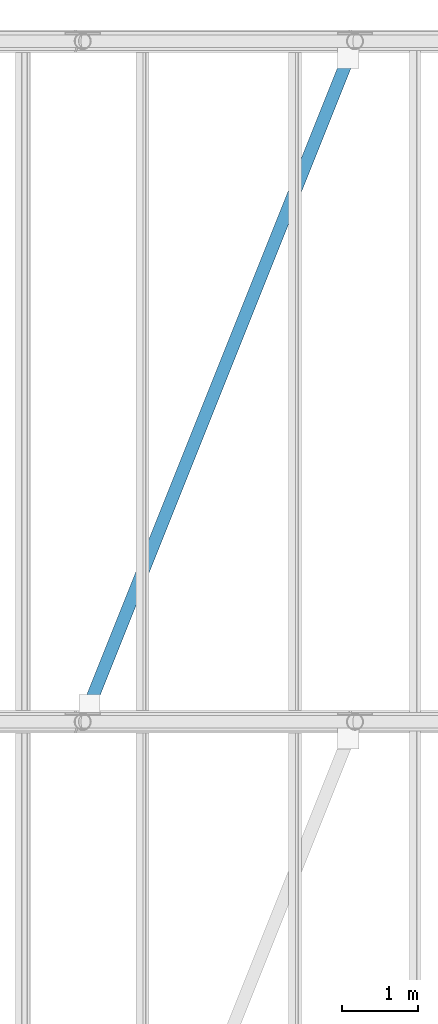
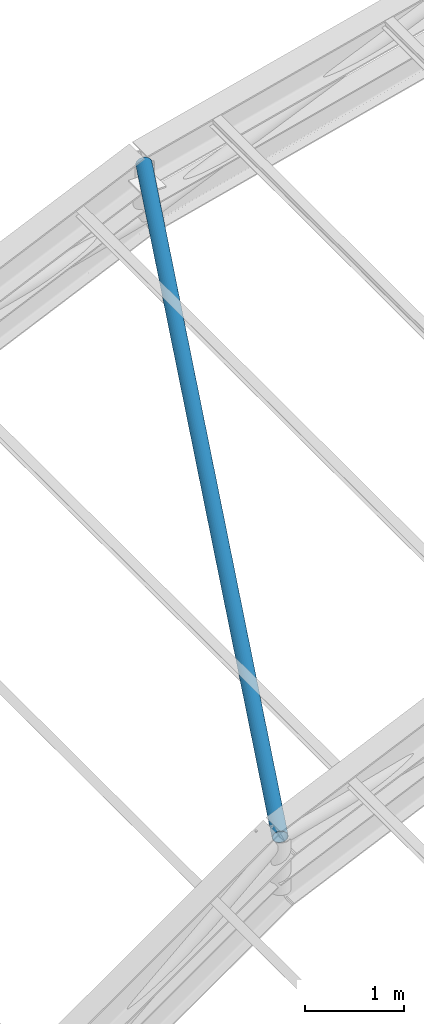
# One storey, part 74 of 121: 1 member.
"""IFC4 building model written with IfcOpenShell, lengths in metres."""

from ifc_helpers import new_model, si_unit, direction, frame, origin, origin_2d, place, context, subcontext, project, spatial, hollow_circle, extrude, material, material_profile, profile_set, type_object, element, save


model = new_model("IFC4")

# Units and contexts
model_context = context("Model", 3, precision=1e-05, world=origin(), true_north=direction((0.0, 1.0)))
body_context = subcontext(model_context, "Body", "Model", "MODEL_VIEW")
ifc_project = project(units=[si_unit("LENGTHUNIT", "METRE"), si_unit("AREAUNIT", "SQUARE_METRE"), si_unit("VOLUMEUNIT", "CUBIC_METRE"), si_unit("PLANEANGLEUNIT", "RADIAN"), si_unit("MASSUNIT", "GRAM", prefix="KILO")], contexts=[model_context])

# Site, building, storey
site_placement = place(None, origin())
site = spatial("IfcSite", under=ifc_project, at=site_placement, CompositionType="ELEMENT")
building_placement = place(site_placement, origin())
building = spatial("IfcBuilding", under=site, at=building_placement, Name="Canglan Escarpment Cableway Terminal", CompositionType="ELEMENT")
storey_placement = place(building_placement, frame((0.0, 0.0, 24.60009765625)))
storey = spatial("IfcBuildingStorey", under=building, at=storey_placement, Name="L05", CompositionType="ELEMENT", Elevation=24.60009765625)

# Member
ifc_material = material(Name="Steel Q355B", Category="steel")
ifc_material_profile = material_profile(ifc_material, hollow_circle(Radius=0.084228515625, WallThickness=0.006103515625, at=origin_2d()), Name="CHS 168.3x6")
ifc_profile_set = profile_set([ifc_material_profile], Name="Steel Q355B")
member_type = type_object("IfcMemberType", Name="MB-ROOF-BR-CHS168", PredefinedType="BRACE", material=ifc_profile_set)
member_placement = place(storey_placement, frame((141.199951171875, 115.0, 5.616455078125), z_axis=(0.366307573698, 0.915744093096, 0.165019748547), x_axis=(-0.928473216852, 0.37139936132, 0.0)))
element("IfcMember", 1, at=member_placement, inside=storey, type_object=member_type, Name="Vault roof plane wind brace BR-03", PredefinedType="BRACE", context=body_context, shape_type="SweptSolid", body=[
    extrude(hollow_circle(Radius=0.084228515625, WallThickness=0.006103515625, at=origin_2d()), origin(), (0.0, 0.0, 1.0), 9.828125),
])

save(model, "model.ifc")
